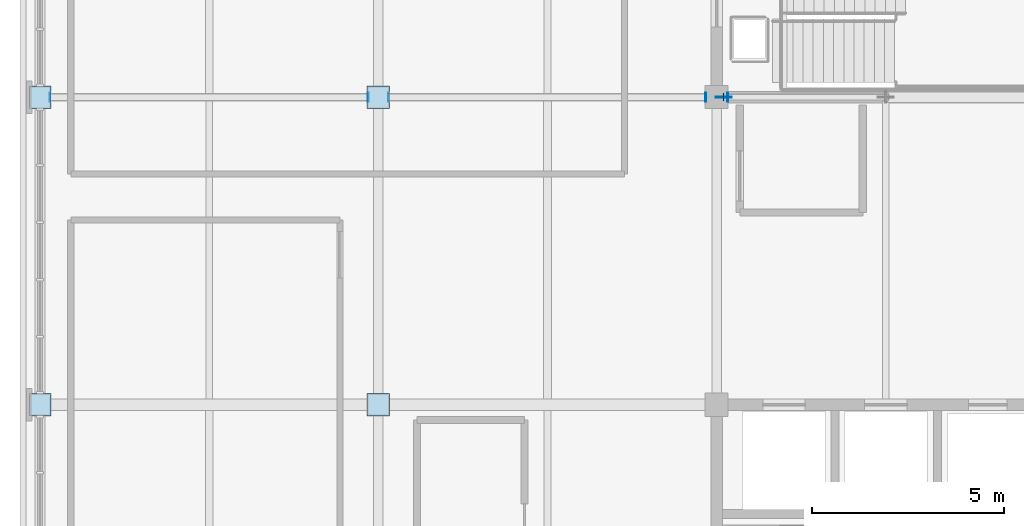
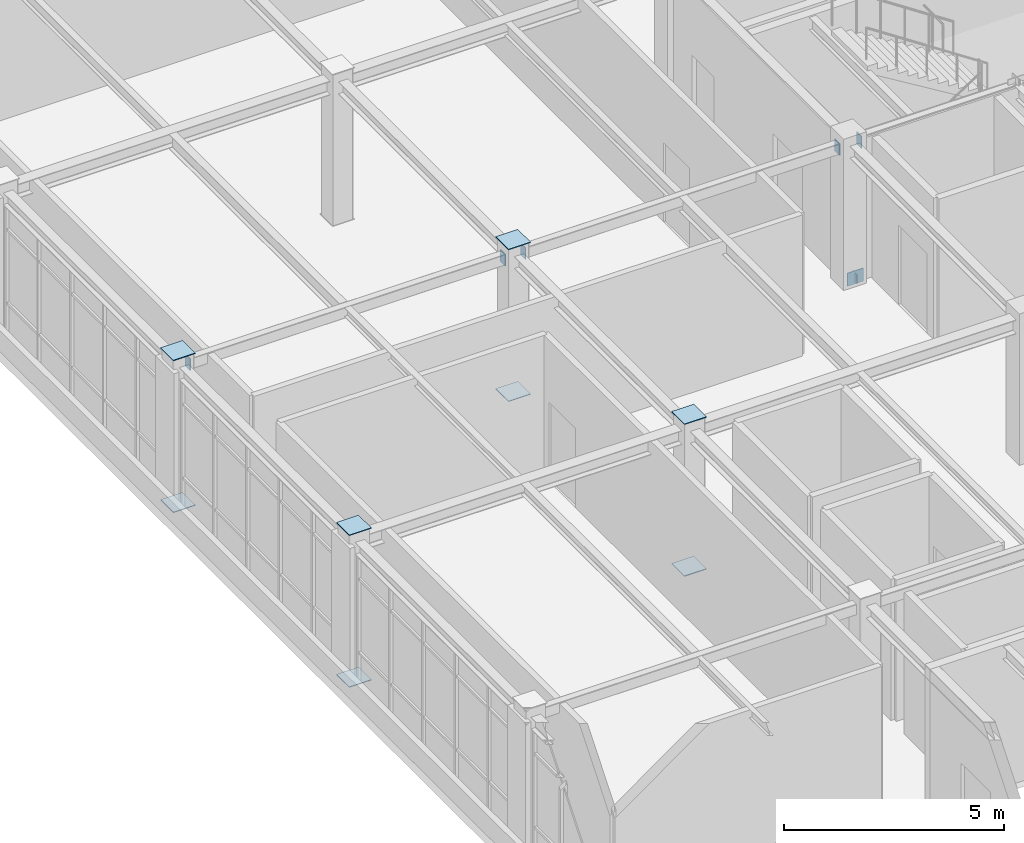
# One storey, part 51 of 88: 15 plates.
"""IFC4 building model written with IfcOpenShell, lengths in metres."""

from ifc_helpers import new_model, si_unit, direction, frame, origin, origin_2d, place, context, subcontext, project, spatial, rectangle, extrude, material, layer, layer_set, type_object, element, save


model = new_model("IFC4")

# Units and contexts
model_context = context("Model", 3, precision=1e-05, world=origin(), true_north=direction((0.0, 1.0)))
body_context = subcontext(model_context, "Body", "Model", "MODEL_VIEW")
ifc_project = project(units=[si_unit("LENGTHUNIT", "METRE"), si_unit("AREAUNIT", "SQUARE_METRE"), si_unit("VOLUMEUNIT", "CUBIC_METRE"), si_unit("PLANEANGLEUNIT", "RADIAN"), si_unit("MASSUNIT", "GRAM", prefix="KILO")], contexts=[model_context])

# Site, building, storey
site_placement = place(None, origin())
site = spatial("IfcSite", under=ifc_project, at=site_placement, CompositionType="ELEMENT")
building_placement = place(site_placement, origin())
building = spatial("IfcBuilding", under=site, at=building_placement, Name="Zhaolan Boulevard Law Courts", CompositionType="ELEMENT")
storey_placement = place(building_placement, frame((0.0, 0.0, 16.199951171875)))
storey = spatial("IfcBuildingStorey", under=building, at=storey_placement, Name="L03", CompositionType="ELEMENT", Elevation=16.199951171875)

# Plates
ifc_material_1 = material(Name="Structural steel Q355B", Category="steel")
ifc_layer_1 = layer(ifc_material_1, 0.02392578125)
ifc_layer_set_1 = layer_set([ifc_layer_1])
plate_type_1 = type_object("IfcPlateType", Name="BRACE GUSSET PLATE 24", PredefinedType="SHEET", material=ifc_layer_set_1)
plate_1_placement = place(storey_placement, frame((17.780029296875, 62.0, -0.14990234375), z_axis=(0.0, 0.0, 1.0), x_axis=(1.0, 0.0, 0.0)))
element("IfcPlate", 1, at=plate_1_placement, inside=storey, type_object=plate_type_1, Name="Brace Gusset Connection Plate GP-W2-L03-SA1", PredefinedType="SHEET", context=body_context, shape_type="SweptSolid", body=[
    extrude(rectangle(XDim=0.419921875, YDim=0.02392578125, at=origin_2d()), origin(), (0.0, 0.0, 1.0), 0.360107421875),
])
ifc_material_2 = material(Name="Structural steel Q355B", Category="steel")
ifc_layer_2 = layer(ifc_material_2, 0.02001953125)
ifc_layer_set_2 = layer_set([ifc_layer_2])
plate_type_2 = type_object("IfcPlateType", Name="END CAP PLATE 20", PredefinedType="SHEET", material=ifc_layer_set_2)
for number, where, z_axis, x_axis, name in (
    (2, (0.0, 54.0, -0.01806640625), (0.0, 0.0, 1.0), (1.0, 0.0, 0.0), "Hollow Section End-Cap Plate ECP-0073"),
    (3, (0.0, 54.0, 4.197998046875), (0.0, 0.0, 1.0), (1.0, 0.0, 0.0), "Hollow Section End-Cap Plate ECP-0074"),
    (4, (0.0, 62.0, -0.01806640625), (0.0, 0.0, 1.0), (1.0, 0.0, 0.0), "Hollow Section End-Cap Plate ECP-0095"),
    (5, (0.0, 62.0, 4.197998046875), (0.0, 0.0, 1.0), (1.0, 0.0, 0.0), "Hollow Section End-Cap Plate ECP-0096"),
    (6, (8.800048828125, 54.0, -0.01806640625), (0.0, 0.0, 1.0), (1.0, 0.0, 0.0), "Hollow Section End-Cap Plate ECP-0207"),
    (7, (8.800048828125, 54.0, 4.197998046875), (0.0, 0.0, 1.0), (1.0, 0.0, 0.0), "Hollow Section End-Cap Plate ECP-0208"),
    (8, (8.800048828125, 62.0, -0.01806640625), (0.0, 0.0, 1.0), (1.0, 0.0, 0.0), "Hollow Section End-Cap Plate ECP-0229"),
    (9, (8.800048828125, 62.0, 4.197998046875), (0.0, 0.0, 1.0), (1.0, 0.0, 0.0), "Hollow Section End-Cap Plate ECP-0230"),
):
    element("IfcPlate", number, at=place(storey_placement, frame(where, z_axis=z_axis, x_axis=x_axis)), inside=storey, type_object=plate_type_2, Name=name, PredefinedType="SHEET", context=body_context, shape_type="SweptSolid", body=[
        extrude(rectangle(XDim=0.580078125, YDim=0.580078125, at=origin_2d()), origin(), (0.0, 0.0, 1.0), 0.02001953125),
    ])
for number, where, z_axis, x_axis, name in (
    (10, (0.262939453125, 62.0, 3.633056640625), (0.0, 0.0, 1.0), (1.0, 0.0, 0.0), "Hollow Section End-Cap Plate ECP-0897"),
    (11, (8.537109375, 62.0, 3.633056640625), (0.0, 0.0, 1.0), (1.0, 0.0, 0.0), "Hollow Section End-Cap Plate ECP-0898"),
    (12, (9.06298828125, 62.0, 3.633056640625), (0.0, 0.0, 1.0), (1.0, 0.0, 0.0), "Hollow Section End-Cap Plate ECP-0899"),
    (13, (17.31201171875, 62.0, 3.633056640625), (0.0, 0.0, 1.0), (1.0, 0.0, 0.0), "Hollow Section End-Cap Plate ECP-0900"),
    (14, (17.887939453125, 62.0, 3.633056640625), (0.0, 0.0, 1.0), (1.0, 0.0, 0.0), "Hollow Section End-Cap Plate ECP-0901"),
):
    element("IfcPlate", number, at=place(storey_placement, frame(where, z_axis=z_axis, x_axis=x_axis)), inside=storey, type_object=plate_type_2, Name=name, PredefinedType="SHEET", context=body_context, shape_type="SweptSolid", body=[
        extrude(rectangle(XDim=0.02001953125, YDim=0.22998046875, at=origin_2d()), origin(), (0.0, 0.0, 1.0), 0.330078125),
    ])
plate_2_placement = place(storey_placement, frame((17.774169921875, 62.0, -0.1044921875), z_axis=(0.0, 0.0, 1.0), x_axis=(1.0, 0.0, 0.0)))
element("IfcPlate", 15, at=plate_2_placement, inside=storey, type_object=plate_type_2, Name="Hollow Section End-Cap Plate ECP-1171", PredefinedType="SHEET", context=body_context, shape_type="SweptSolid", body=[
    extrude(rectangle(XDim=0.02001953125, YDim=0.18994140625, at=origin_2d()), origin(), (0.0, 0.0, 1.0), 0.258056640625),
])

save(model, "model.ifc")
